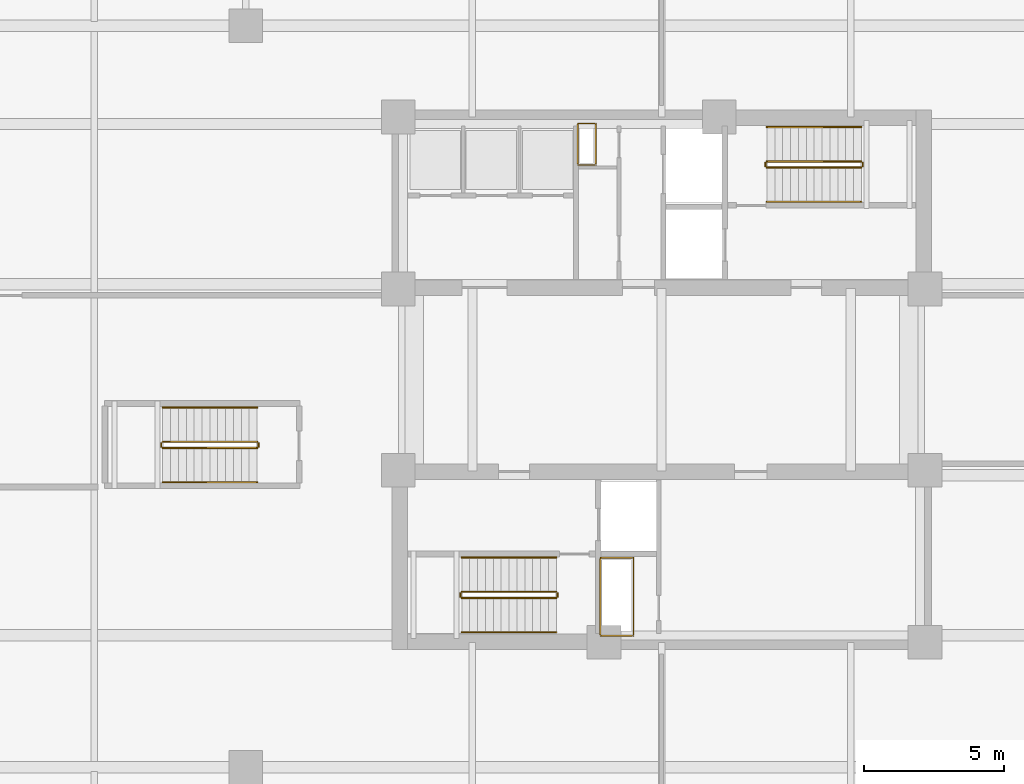
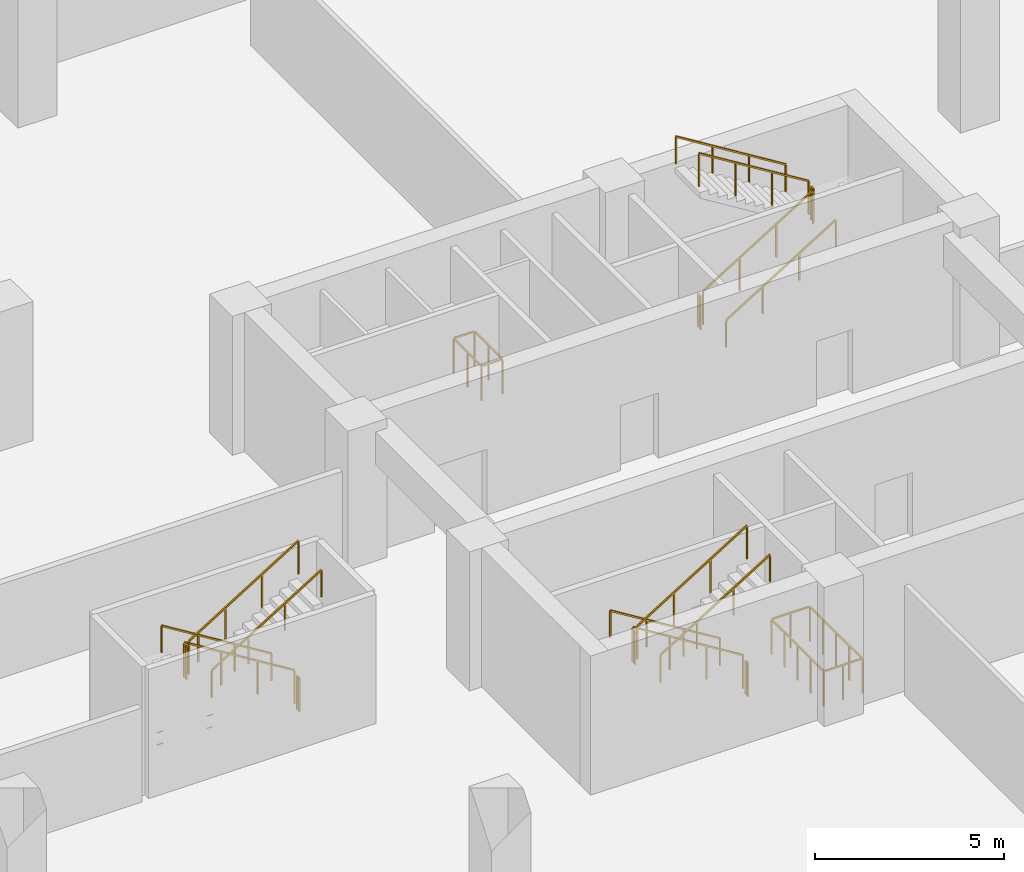
# One storey, part 6 of 8: 20 railings.
"""IFC4 building model written with IfcOpenShell, lengths in metres."""

from ifc_helpers import new_model, si_unit, direction, frame, origin, origin_2d, place, context, subcontext, project, spatial, rectangle, extrude, material, type_object, element, save


model = new_model("IFC4")

# Units and contexts
model_context = context("Model", 3, precision=1e-05, world=origin(), true_north=direction((0.0, 1.0)))
body_context = subcontext(model_context, "Body", "Model", "MODEL_VIEW")
ifc_project = project(units=[si_unit("LENGTHUNIT", "METRE"), si_unit("AREAUNIT", "SQUARE_METRE"), si_unit("VOLUMEUNIT", "CUBIC_METRE"), si_unit("PLANEANGLEUNIT", "RADIAN"), si_unit("MASSUNIT", "GRAM", prefix="KILO")], contexts=[model_context])

# Site, building, storey
site_placement = place(None, origin())
site = spatial("IfcSite", under=ifc_project, at=site_placement, CompositionType="ELEMENT")
building_placement = place(site_placement, origin())
building = spatial("IfcBuilding", under=site, at=building_placement, Name="Qhalaya Broadcast Tower", CompositionType="ELEMENT")
storey_placement = place(building_placement, frame((0.0, 0.0, -4.5)))
storey = spatial("IfcBuildingStorey", under=building, at=storey_placement, Name="B01", CompositionType="ELEMENT", Elevation=-4.5)

# Railings
ifc_material = material(Name="Powder-Coated Galvanised Steel", Category="steel")
railing_type_1 = type_object("IfcRailingType", Name="Stair Wall Handrail 900", PredefinedType="HANDRAIL", material=ifc_material)
railing_1_placement = place(storey_placement, frame((3.75, 6.929931640625, 0.173095703125)))
element("IfcRailing", 1, at=railing_1_placement, inside=storey, type_object=railing_type_1, Name="B01 ST-1 Stair Handrail 1", PredefinedType="HANDRAIL", context=body_context, shape_type="SweptSolid", body=[
    extrude(rectangle(XDim=0.048095703125, YDim=0.048095703125, at=origin_2d()), frame((0.0, 0.0, 0.8759765625), z_axis=(0.850623216509, 0.0, 0.525775754039), x_axis=(0.0, 1.0, 0.0)), (0.0, 0.0, 1.0), 3.9501953125),
    extrude(rectangle(XDim=0.0419921875, YDim=0.0419921875, at=origin_2d()), origin(), (0.0, 0.0, 1.0), 0.849853515625),
    extrude(rectangle(XDim=0.0419921875, YDim=0.0419921875, at=origin_2d()), frame((1.1201171875, 0.0, 0.6923828125)), (0.0, 0.0, 1.0), 0.849853515625),
    extrude(rectangle(XDim=0.0419921875, YDim=0.0419921875, at=origin_2d()), frame((2.239990234375, 0.0, 1.384521484375)), (0.0, 0.0, 1.0), 0.849853515625),
    extrude(rectangle(XDim=0.0419921875, YDim=0.0419921875, at=origin_2d()), frame((3.360107421875, 0.0, 2.076904296875)), (0.0, 0.0, 1.0), 0.849853515625),
])
for number, where, name in (
    (2, (7.110107421875, 9.590087890625, 2.423095703125), "B01 ST-1 Stair Handrail 2"),
    (3, (-3.75, -5.72998046875, 0.173095703125), "B01 ST-2 Stair Handrail 1"),
):
    element("IfcRailing", number, at=place(storey_placement, frame(where)), inside=storey, type_object=railing_type_1, Name=name, PredefinedType="HANDRAIL", context=body_context, shape_type="SweptSolid", body=[
        extrude(rectangle(XDim=0.048095703125, YDim=0.048095703125, at=origin_2d()), frame((0.0, 0.0, 0.8759765625), z_axis=(-0.850623216509, 0.0, 0.525775754039), x_axis=(0.0, -1.0, 0.0)), (0.0, 0.0, 1.0), 3.9501953125),
        extrude(rectangle(XDim=0.0419921875, YDim=0.0419921875, at=origin_2d()), origin(), (0.0, 0.0, 1.0), 0.849853515625),
        extrude(rectangle(XDim=0.0419921875, YDim=0.0419921875, at=origin_2d()), frame((-1.1201171875, 0.0, 0.6923828125)), (0.0, 0.0, 1.0), 0.849853515625),
        extrude(rectangle(XDim=0.0419921875, YDim=0.0419921875, at=origin_2d()), frame((-2.239990234375, 0.0, 1.384521484375)), (0.0, 0.0, 1.0), 0.849853515625),
        extrude(rectangle(XDim=0.0419921875, YDim=0.0419921875, at=origin_2d()), frame((-3.360107421875, 0.0, 2.076904296875)), (0.0, 0.0, 1.0), 0.849853515625),
    ])
railing_2_placement = place(storey_placement, frame((-7.110107421875, -8.389892578125, 2.423095703125)))
element("IfcRailing", 4, at=railing_2_placement, inside=storey, type_object=railing_type_1, Name="B01 ST-2 Stair Handrail 2", PredefinedType="HANDRAIL", context=body_context, shape_type="SweptSolid", body=[
    extrude(rectangle(XDim=0.048095703125, YDim=0.048095703125, at=origin_2d()), frame((0.0, 0.0, 0.8759765625), z_axis=(0.850623216509, 0.0, 0.525775754039), x_axis=(0.0, 1.0, 0.0)), (0.0, 0.0, 1.0), 3.9501953125),
    extrude(rectangle(XDim=0.0419921875, YDim=0.0419921875, at=origin_2d()), origin(), (0.0, 0.0, 1.0), 0.849853515625),
    extrude(rectangle(XDim=0.0419921875, YDim=0.0419921875, at=origin_2d()), frame((1.1201171875, 0.0, 0.6923828125)), (0.0, 0.0, 1.0), 0.849853515625),
    extrude(rectangle(XDim=0.0419921875, YDim=0.0419921875, at=origin_2d()), frame((2.239990234375, 0.0, 1.384521484375)), (0.0, 0.0, 1.0), 0.849853515625),
    extrude(rectangle(XDim=0.0419921875, YDim=0.0419921875, at=origin_2d()), frame((3.360107421875, 0.0, 2.076904296875)), (0.0, 0.0, 1.0), 0.849853515625),
])
railing_3_placement = place(storey_placement, frame((-14.39990234375, -0.389892578125, 0.173095703125)))
element("IfcRailing", 5, at=railing_3_placement, inside=storey, type_object=railing_type_1, Name="B01 ST-P1 Stair Handrail 1", PredefinedType="HANDRAIL", context=body_context, shape_type="SweptSolid", body=[
    extrude(rectangle(XDim=0.048095703125, YDim=0.048095703125, at=origin_2d()), frame((0.0, 0.0, 0.8759765625), z_axis=(-0.850623216509, 0.0, 0.525775754039), x_axis=(0.0, -1.0, 0.0)), (0.0, 0.0, 1.0), 3.9501953125),
    extrude(rectangle(XDim=0.0419921875, YDim=0.0419921875, at=origin_2d()), origin(), (0.0, 0.0, 1.0), 0.849853515625),
    extrude(rectangle(XDim=0.0419921875, YDim=0.0419921875, at=origin_2d()), frame((-1.1201171875, 0.0, 0.6923828125)), (0.0, 0.0, 1.0), 0.849853515625),
    extrude(rectangle(XDim=0.0419921875, YDim=0.0419921875, at=origin_2d()), frame((-2.239990234375, 0.0, 1.384521484375)), (0.0, 0.0, 1.0), 0.849853515625),
    extrude(rectangle(XDim=0.0419921875, YDim=0.0419921875, at=origin_2d()), frame((-3.360107421875, 0.0, 2.076904296875)), (0.0, 0.0, 1.0), 0.849853515625),
])
railing_4_placement = place(storey_placement, frame((-17.760009765625, -3.050048828125, 2.423095703125)))
element("IfcRailing", 6, at=railing_4_placement, inside=storey, type_object=railing_type_1, Name="B01 ST-P1 Stair Handrail 2", PredefinedType="HANDRAIL", context=body_context, shape_type="SweptSolid", body=[
    extrude(rectangle(XDim=0.048095703125, YDim=0.048095703125, at=origin_2d()), frame((0.0, 0.0, 0.8759765625), z_axis=(0.850623216509, 0.0, 0.525775754039), x_axis=(0.0, 1.0, 0.0)), (0.0, 0.0, 1.0), 3.9501953125),
    extrude(rectangle(XDim=0.0419921875, YDim=0.0419921875, at=origin_2d()), origin(), (0.0, 0.0, 1.0), 0.849853515625),
    extrude(rectangle(XDim=0.0419921875, YDim=0.0419921875, at=origin_2d()), frame((1.1201171875, 0.0, 0.6923828125)), (0.0, 0.0, 1.0), 0.849853515625),
    extrude(rectangle(XDim=0.0419921875, YDim=0.0419921875, at=origin_2d()), frame((2.239990234375, 0.0, 1.384521484375)), (0.0, 0.0, 1.0), 0.849853515625),
    extrude(rectangle(XDim=0.0419921875, YDim=0.0419921875, at=origin_2d()), frame((3.360107421875, 0.0, 2.076904296875)), (0.0, 0.0, 1.0), 0.849853515625),
])
railing_type_2 = type_object("IfcRailingType", Name="Stair Well & Landing Guardrail 1100", PredefinedType="GUARDRAIL", material=ifc_material)
railing_5_placement = place(storey_placement, frame((-2.340087890625, 8.239990234375, 0.0)))
element("IfcRailing", 7, at=railing_5_placement, inside=storey, type_object=railing_type_2, Name="B01 Service Riser Opening Safety Guard NRSR", PredefinedType="GUARDRAIL", context=body_context, shape_type="SweptSolid", body=[
    extrude(rectangle(XDim=0.048095703125, YDim=0.048095703125, at=origin_2d()), frame((0.0, 0.02880859375, 1.1259765625), z_axis=(0.0, 1.0, 0.0), x_axis=(-1.0, 0.0, 0.0)), (0.0, 0.0, 1.0), 1.42236328125),
    extrude(rectangle(XDim=0.048095703125, YDim=0.048095703125, at=origin_2d()), frame((-0.02880859375, 1.47998046875, 1.1259765625), z_axis=(-1.0, 0.0, 0.0), x_axis=(0.0, -1.0, 0.0)), (0.0, 0.0, 1.0), 0.582275390625),
    extrude(rectangle(XDim=0.048095703125, YDim=0.048095703125, at=origin_2d()), frame((-0.639892578125, 1.451171875, 1.1259765625), z_axis=(0.0, -1.0, 0.0), x_axis=(1.0, 0.0, 0.0)), (0.0, 0.0, 1.0), 1.42236328125),
    extrude(rectangle(XDim=0.048095703125, YDim=0.048095703125, at=origin_2d()), frame((-0.611083984375, 0.0, 1.1259765625), z_axis=(1.0, 0.0, 0.0), x_axis=(0.0, 1.0, 0.0)), (0.0, 0.0, 1.0), 0.582275390625),
    extrude(rectangle(XDim=0.0419921875, YDim=0.0419921875, at=origin_2d()), origin(), (0.0, 0.0, 1.0), 1.099853515625),
    extrude(rectangle(XDim=0.0419921875, YDim=0.0419921875, at=origin_2d()), frame((0.0, 0.739990234375, 0.0)), (0.0, 0.0, 1.0), 1.099853515625),
    extrude(rectangle(XDim=0.0419921875, YDim=0.0419921875, at=origin_2d()), frame((0.0, 1.47998046875, 0.0)), (0.0, 0.0, 1.0), 1.099853515625),
    extrude(rectangle(XDim=0.0419921875, YDim=0.0419921875, at=origin_2d()), frame((-0.639892578125, 1.47998046875, 0.0)), (0.0, 0.0, 1.0), 1.099853515625),
    extrude(rectangle(XDim=0.0419921875, YDim=0.0419921875, at=origin_2d()), frame((-0.639892578125, 0.739990234375, 0.0)), (0.0, 0.0, 1.0), 1.099853515625),
    extrude(rectangle(XDim=0.0419921875, YDim=0.0419921875, at=origin_2d()), frame((-0.639892578125, 0.0, 0.0)), (0.0, 0.0, 1.0), 1.099853515625),
])
railing_6_placement = place(storey_placement, frame((-1.0, -8.52001953125, 0.0)))
element("IfcRailing", 8, at=railing_6_placement, inside=storey, type_object=railing_type_2, Name="B01 Service Riser Opening Safety Guard SRSR", PredefinedType="GUARDRAIL", context=body_context, shape_type="SweptSolid", body=[
    extrude(rectangle(XDim=0.048095703125, YDim=0.048095703125, at=origin_2d()), frame((0.0, 0.02880859375, 1.1259765625), z_axis=(0.0, 1.0, 0.0), x_axis=(-1.0, 0.0, 0.0)), (0.0, 0.0, 1.0), 2.722412109375),
    extrude(rectangle(XDim=0.048095703125, YDim=0.048095703125, at=origin_2d()), frame((-0.02880859375, 2.780029296875, 1.1259765625), z_axis=(-1.0, 0.0, 0.0), x_axis=(0.0, -1.0, 0.0)), (0.0, 0.0, 1.0), 1.122314453125),
    extrude(rectangle(XDim=0.048095703125, YDim=0.048095703125, at=origin_2d()), frame((-1.179931640625, 2.751220703125, 1.1259765625), z_axis=(0.0, -1.0, 0.0), x_axis=(1.0, 0.0, 0.0)), (0.0, 0.0, 1.0), 2.722412109375),
    extrude(rectangle(XDim=0.048095703125, YDim=0.048095703125, at=origin_2d()), frame((-1.151123046875, 0.0, 1.1259765625), z_axis=(1.0, 0.0, 0.0), x_axis=(0.0, 1.0, 0.0)), (0.0, 0.0, 1.0), 1.122314453125),
    extrude(rectangle(XDim=0.0419921875, YDim=0.0419921875, at=origin_2d()), origin(), (0.0, 0.0, 1.0), 1.099853515625),
    extrude(rectangle(XDim=0.0419921875, YDim=0.0419921875, at=origin_2d()), frame((0.0, 0.695068359375, 0.0)), (0.0, 0.0, 1.0), 1.099853515625),
    extrude(rectangle(XDim=0.0419921875, YDim=0.0419921875, at=origin_2d()), frame((0.0, 1.39013671875, 0.0)), (0.0, 0.0, 1.0), 1.099853515625),
    extrude(rectangle(XDim=0.0419921875, YDim=0.0419921875, at=origin_2d()), frame((0.0, 2.0849609375, 0.0)), (0.0, 0.0, 1.0), 1.099853515625),
    extrude(rectangle(XDim=0.0419921875, YDim=0.0419921875, at=origin_2d()), frame((0.0, 2.780029296875, 0.0)), (0.0, 0.0, 1.0), 1.099853515625),
    extrude(rectangle(XDim=0.0419921875, YDim=0.0419921875, at=origin_2d()), frame((-0.58984375, 2.780029296875, 0.0)), (0.0, 0.0, 1.0), 1.099853515625),
    extrude(rectangle(XDim=0.0419921875, YDim=0.0419921875, at=origin_2d()), frame((-1.179931640625, 2.780029296875, 0.0)), (0.0, 0.0, 1.0), 1.099853515625),
    extrude(rectangle(XDim=0.0419921875, YDim=0.0419921875, at=origin_2d()), frame((-1.179931640625, 2.0849609375, 0.0)), (0.0, 0.0, 1.0), 1.099853515625),
    extrude(rectangle(XDim=0.0419921875, YDim=0.0419921875, at=origin_2d()), frame((-1.179931640625, 1.39013671875, 0.0)), (0.0, 0.0, 1.0), 1.099853515625),
    extrude(rectangle(XDim=0.0419921875, YDim=0.0419921875, at=origin_2d()), frame((-1.179931640625, 0.695068359375, 0.0)), (0.0, 0.0, 1.0), 1.099853515625),
    extrude(rectangle(XDim=0.0419921875, YDim=0.0419921875, at=origin_2d()), frame((-1.179931640625, 0.0, 0.0)), (0.0, 0.0, 1.0), 1.099853515625),
    extrude(rectangle(XDim=0.0419921875, YDim=0.0419921875, at=origin_2d()), frame((-0.58984375, 0.0, 0.0)), (0.0, 0.0, 1.0), 1.099853515625),
])
railing_7_placement = place(storey_placement, frame((3.75, 8.14990234375, 0.173095703125)))
element("IfcRailing", 9, at=railing_7_placement, inside=storey, type_object=railing_type_2, Name="B01 ST-1 Stair Guard 1", PredefinedType="GUARDRAIL", context=body_context, shape_type="SweptSolid", body=[
    extrude(rectangle(XDim=0.048095703125, YDim=0.048095703125, at=origin_2d()), frame((0.0, 0.0, 1.076171875), z_axis=(0.850623216509, 0.0, 0.525775754039), x_axis=(0.0, 1.0, 0.0)), (0.0, 0.0, 1.0), 3.9501953125),
    extrude(rectangle(XDim=0.0419921875, YDim=0.0419921875, at=origin_2d()), origin(), (0.0, 0.0, 1.0), 1.050048828125),
    extrude(rectangle(XDim=0.0419921875, YDim=0.0419921875, at=origin_2d()), frame((1.1201171875, 0.0, 0.6923828125)), (0.0, 0.0, 1.0), 1.050048828125),
    extrude(rectangle(XDim=0.0419921875, YDim=0.0419921875, at=origin_2d()), frame((2.239990234375, 0.0, 1.384521484375)), (0.0, 0.0, 1.0), 1.050048828125),
    extrude(rectangle(XDim=0.0419921875, YDim=0.0419921875, at=origin_2d()), frame((3.360107421875, 0.0, 2.076904296875)), (0.0, 0.0, 1.0), 1.050048828125),
])
railing_8_placement = place(storey_placement, frame((7.159912109375, 8.199951171875, 2.25)))
element("IfcRailing", 10, at=railing_8_placement, inside=storey, type_object=railing_type_2, Name="B01 ST-1 Stair Guard 2", PredefinedType="GUARDRAIL", context=body_context, shape_type="SweptSolid", body=[
    extrude(rectangle(XDim=0.048095703125, YDim=0.048095703125, at=origin_2d()), frame((0.0, 0.0, 1.076171875), z_axis=(0.0, 1.0, 0.0), x_axis=(-1.0, 0.0, 0.0)), (0.0, 0.0, 1.0), 0.1201171875),
    extrude(rectangle(XDim=0.0419921875, YDim=0.0419921875, at=origin_2d()), origin(), (0.0, 0.0, 1.0), 1.050048828125),
    extrude(rectangle(XDim=0.0419921875, YDim=0.0419921875, at=origin_2d()), frame((0.0, 0.1201171875, 0.0)), (0.0, 0.0, 1.0), 1.050048828125),
])
railing_9_placement = place(storey_placement, frame((7.110107421875, 8.3701171875, 2.423095703125)))
element("IfcRailing", 11, at=railing_9_placement, inside=storey, type_object=railing_type_2, Name="B01 ST-1 Stair Guard 3", PredefinedType="GUARDRAIL", context=body_context, shape_type="SweptSolid", body=[
    extrude(rectangle(XDim=0.048095703125, YDim=0.048095703125, at=origin_2d()), frame((0.0, 0.0, 1.076171875), z_axis=(-0.850623216509, 0.0, 0.525775754039), x_axis=(0.0, -1.0, 0.0)), (0.0, 0.0, 1.0), 3.9501953125),
    extrude(rectangle(XDim=0.0419921875, YDim=0.0419921875, at=origin_2d()), origin(), (0.0, 0.0, 1.0), 1.050048828125),
    extrude(rectangle(XDim=0.0419921875, YDim=0.0419921875, at=origin_2d()), frame((-1.1201171875, 0.0, 0.6923828125)), (0.0, 0.0, 1.0), 1.050048828125),
    extrude(rectangle(XDim=0.0419921875, YDim=0.0419921875, at=origin_2d()), frame((-2.239990234375, 0.0, 1.384521484375)), (0.0, 0.0, 1.0), 1.050048828125),
    extrude(rectangle(XDim=0.0419921875, YDim=0.0419921875, at=origin_2d()), frame((-3.360107421875, 0.0, 2.076904296875)), (0.0, 0.0, 1.0), 1.050048828125),
])
railing_10_placement = place(storey_placement, frame((3.699951171875, 8.199951171875, 0.0)))
element("IfcRailing", 12, at=railing_10_placement, inside=storey, type_object=railing_type_2, Name="B01 ST-1 Stair Guard 4", PredefinedType="GUARDRAIL", context=body_context, shape_type="SweptSolid", body=[
    extrude(rectangle(XDim=0.048095703125, YDim=0.048095703125, at=origin_2d()), frame((0.0, 0.0, 1.076171875), z_axis=(0.0, 1.0, 0.0), x_axis=(-1.0, 0.0, 0.0)), (0.0, 0.0, 1.0), 0.1201171875),
    extrude(rectangle(XDim=0.0419921875, YDim=0.0419921875, at=origin_2d()), origin(), (0.0, 0.0, 1.0), 1.050048828125),
    extrude(rectangle(XDim=0.0419921875, YDim=0.0419921875, at=origin_2d()), frame((0.0, 0.1201171875, 0.0)), (0.0, 0.0, 1.0), 1.050048828125),
])
railing_11_placement = place(storey_placement, frame((-3.75, -6.949951171875, 0.173095703125)))
element("IfcRailing", 13, at=railing_11_placement, inside=storey, type_object=railing_type_2, Name="B01 ST-2 Stair Guard 1", PredefinedType="GUARDRAIL", context=body_context, shape_type="SweptSolid", body=[
    extrude(rectangle(XDim=0.048095703125, YDim=0.048095703125, at=origin_2d()), frame((0.0, 0.0, 1.076171875), z_axis=(-0.850623216509, 0.0, 0.525775754039), x_axis=(0.0, -1.0, 0.0)), (0.0, 0.0, 1.0), 3.9501953125),
    extrude(rectangle(XDim=0.0419921875, YDim=0.0419921875, at=origin_2d()), origin(), (0.0, 0.0, 1.0), 1.050048828125),
    extrude(rectangle(XDim=0.0419921875, YDim=0.0419921875, at=origin_2d()), frame((-1.1201171875, 0.0, 0.6923828125)), (0.0, 0.0, 1.0), 1.050048828125),
    extrude(rectangle(XDim=0.0419921875, YDim=0.0419921875, at=origin_2d()), frame((-2.239990234375, 0.0, 1.384521484375)), (0.0, 0.0, 1.0), 1.050048828125),
    extrude(rectangle(XDim=0.0419921875, YDim=0.0419921875, at=origin_2d()), frame((-3.360107421875, 0.0, 2.076904296875)), (0.0, 0.0, 1.0), 1.050048828125),
])
railing_12_placement = place(storey_placement, frame((-7.159912109375, -7.0, 2.25)))
element("IfcRailing", 14, at=railing_12_placement, inside=storey, type_object=railing_type_2, Name="B01 ST-2 Stair Guard 2", PredefinedType="GUARDRAIL", context=body_context, shape_type="SweptSolid", body=[
    extrude(rectangle(XDim=0.048095703125, YDim=0.048095703125, at=origin_2d()), frame((0.0, 0.0, 1.076171875), z_axis=(0.0, -1.0, 0.0), x_axis=(1.0, 0.0, 0.0)), (0.0, 0.0, 1.0), 0.1201171875),
    extrude(rectangle(XDim=0.0419921875, YDim=0.0419921875, at=origin_2d()), origin(), (0.0, 0.0, 1.0), 1.050048828125),
    extrude(rectangle(XDim=0.0419921875, YDim=0.0419921875, at=origin_2d()), frame((0.0, -0.1201171875, 0.0)), (0.0, 0.0, 1.0), 1.050048828125),
])
railing_13_placement = place(storey_placement, frame((-7.110107421875, -7.169921875, 2.423095703125)))
element("IfcRailing", 15, at=railing_13_placement, inside=storey, type_object=railing_type_2, Name="B01 ST-2 Stair Guard 3", PredefinedType="GUARDRAIL", context=body_context, shape_type="SweptSolid", body=[
    extrude(rectangle(XDim=0.048095703125, YDim=0.048095703125, at=origin_2d()), frame((0.0, 0.0, 1.076171875), z_axis=(0.850623216509, 0.0, 0.525775754039), x_axis=(0.0, 1.0, 0.0)), (0.0, 0.0, 1.0), 3.9501953125),
    extrude(rectangle(XDim=0.0419921875, YDim=0.0419921875, at=origin_2d()), origin(), (0.0, 0.0, 1.0), 1.050048828125),
    extrude(rectangle(XDim=0.0419921875, YDim=0.0419921875, at=origin_2d()), frame((1.1201171875, 0.0, 0.6923828125)), (0.0, 0.0, 1.0), 1.050048828125),
    extrude(rectangle(XDim=0.0419921875, YDim=0.0419921875, at=origin_2d()), frame((2.239990234375, 0.0, 1.384521484375)), (0.0, 0.0, 1.0), 1.050048828125),
    extrude(rectangle(XDim=0.0419921875, YDim=0.0419921875, at=origin_2d()), frame((3.360107421875, 0.0, 2.076904296875)), (0.0, 0.0, 1.0), 1.050048828125),
])
railing_14_placement = place(storey_placement, frame((-3.699951171875, -7.0, 0.0)))
element("IfcRailing", 16, at=railing_14_placement, inside=storey, type_object=railing_type_2, Name="B01 ST-2 Stair Guard 4", PredefinedType="GUARDRAIL", context=body_context, shape_type="SweptSolid", body=[
    extrude(rectangle(XDim=0.048095703125, YDim=0.048095703125, at=origin_2d()), frame((0.0, 0.0, 1.076171875), z_axis=(0.0, -1.0, 0.0), x_axis=(1.0, 0.0, 0.0)), (0.0, 0.0, 1.0), 0.1201171875),
    extrude(rectangle(XDim=0.0419921875, YDim=0.0419921875, at=origin_2d()), origin(), (0.0, 0.0, 1.0), 1.050048828125),
    extrude(rectangle(XDim=0.0419921875, YDim=0.0419921875, at=origin_2d()), frame((0.0, -0.1201171875, 0.0)), (0.0, 0.0, 1.0), 1.050048828125),
])
railing_15_placement = place(storey_placement, frame((-14.39990234375, -1.610107421875, 0.173095703125)))
element("IfcRailing", 17, at=railing_15_placement, inside=storey, type_object=railing_type_2, Name="B01 ST-P1 Stair Guard 1", PredefinedType="GUARDRAIL", context=body_context, shape_type="SweptSolid", body=[
    extrude(rectangle(XDim=0.048095703125, YDim=0.048095703125, at=origin_2d()), frame((0.0, 0.0, 1.076171875), z_axis=(-0.850623216509, 0.0, 0.525775754039), x_axis=(0.0, -1.0, 0.0)), (0.0, 0.0, 1.0), 3.9501953125),
    extrude(rectangle(XDim=0.0419921875, YDim=0.0419921875, at=origin_2d()), origin(), (0.0, 0.0, 1.0), 1.050048828125),
    extrude(rectangle(XDim=0.0419921875, YDim=0.0419921875, at=origin_2d()), frame((-1.1201171875, 0.0, 0.6923828125)), (0.0, 0.0, 1.0), 1.050048828125),
    extrude(rectangle(XDim=0.0419921875, YDim=0.0419921875, at=origin_2d()), frame((-2.239990234375, 0.0, 1.384521484375)), (0.0, 0.0, 1.0), 1.050048828125),
    extrude(rectangle(XDim=0.0419921875, YDim=0.0419921875, at=origin_2d()), frame((-3.360107421875, 0.0, 2.076904296875)), (0.0, 0.0, 1.0), 1.050048828125),
])
railing_16_placement = place(storey_placement, frame((-17.81005859375, -1.659912109375, 2.25)))
element("IfcRailing", 18, at=railing_16_placement, inside=storey, type_object=railing_type_2, Name="B01 ST-P1 Stair Guard 2", PredefinedType="GUARDRAIL", context=body_context, shape_type="SweptSolid", body=[
    extrude(rectangle(XDim=0.048095703125, YDim=0.048095703125, at=origin_2d()), frame((0.0, 0.0, 1.076171875), z_axis=(0.0, -1.0, 0.0), x_axis=(1.0, 0.0, 0.0)), (0.0, 0.0, 1.0), 0.1201171875),
    extrude(rectangle(XDim=0.0419921875, YDim=0.0419921875, at=origin_2d()), origin(), (0.0, 0.0, 1.0), 1.050048828125),
    extrude(rectangle(XDim=0.0419921875, YDim=0.0419921875, at=origin_2d()), frame((0.0, -0.1201171875, 0.0)), (0.0, 0.0, 1.0), 1.050048828125),
])
railing_17_placement = place(storey_placement, frame((-17.760009765625, -1.830078125, 2.423095703125)))
element("IfcRailing", 19, at=railing_17_placement, inside=storey, type_object=railing_type_2, Name="B01 ST-P1 Stair Guard 3", PredefinedType="GUARDRAIL", context=body_context, shape_type="SweptSolid", body=[
    extrude(rectangle(XDim=0.048095703125, YDim=0.048095703125, at=origin_2d()), frame((0.0, 0.0, 1.076171875), z_axis=(0.850623216509, 0.0, 0.525775754039), x_axis=(0.0, 1.0, 0.0)), (0.0, 0.0, 1.0), 3.9501953125),
    extrude(rectangle(XDim=0.0419921875, YDim=0.0419921875, at=origin_2d()), origin(), (0.0, 0.0, 1.0), 1.050048828125),
    extrude(rectangle(XDim=0.0419921875, YDim=0.0419921875, at=origin_2d()), frame((1.1201171875, 0.0, 0.6923828125)), (0.0, 0.0, 1.0), 1.050048828125),
    extrude(rectangle(XDim=0.0419921875, YDim=0.0419921875, at=origin_2d()), frame((2.239990234375, 0.0, 1.384521484375)), (0.0, 0.0, 1.0), 1.050048828125),
    extrude(rectangle(XDim=0.0419921875, YDim=0.0419921875, at=origin_2d()), frame((3.360107421875, 0.0, 2.076904296875)), (0.0, 0.0, 1.0), 1.050048828125),
])
railing_18_placement = place(storey_placement, frame((-14.35009765625, -1.659912109375, 0.0)))
element("IfcRailing", 20, at=railing_18_placement, inside=storey, type_object=railing_type_2, Name="B01 ST-P1 Stair Guard 4", PredefinedType="GUARDRAIL", context=body_context, shape_type="SweptSolid", body=[
    extrude(rectangle(XDim=0.048095703125, YDim=0.048095703125, at=origin_2d()), frame((0.0, 0.0, 1.076171875), z_axis=(0.0, -1.0, 0.0), x_axis=(1.0, 0.0, 0.0)), (0.0, 0.0, 1.0), 0.1201171875),
    extrude(rectangle(XDim=0.0419921875, YDim=0.0419921875, at=origin_2d()), origin(), (0.0, 0.0, 1.0), 1.050048828125),
    extrude(rectangle(XDim=0.0419921875, YDim=0.0419921875, at=origin_2d()), frame((0.0, -0.1201171875, 0.0)), (0.0, 0.0, 1.0), 1.050048828125),
])

save(model, "model.ifc")
